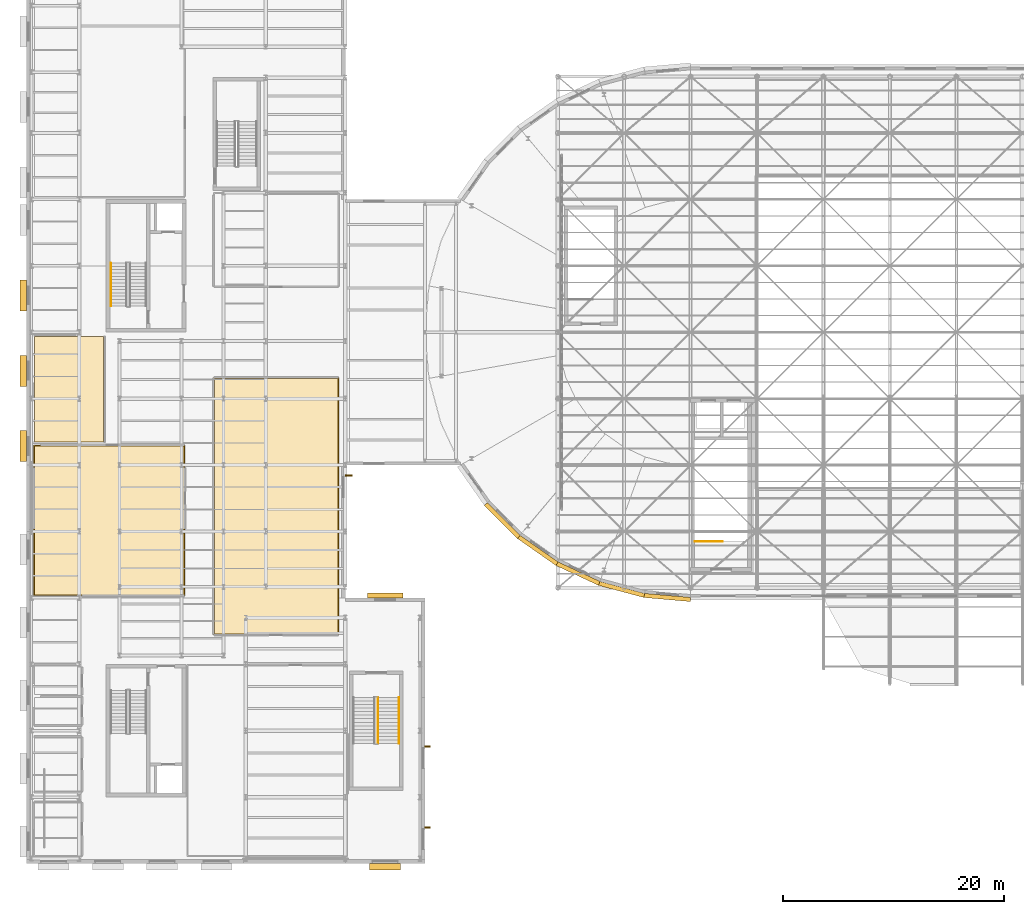
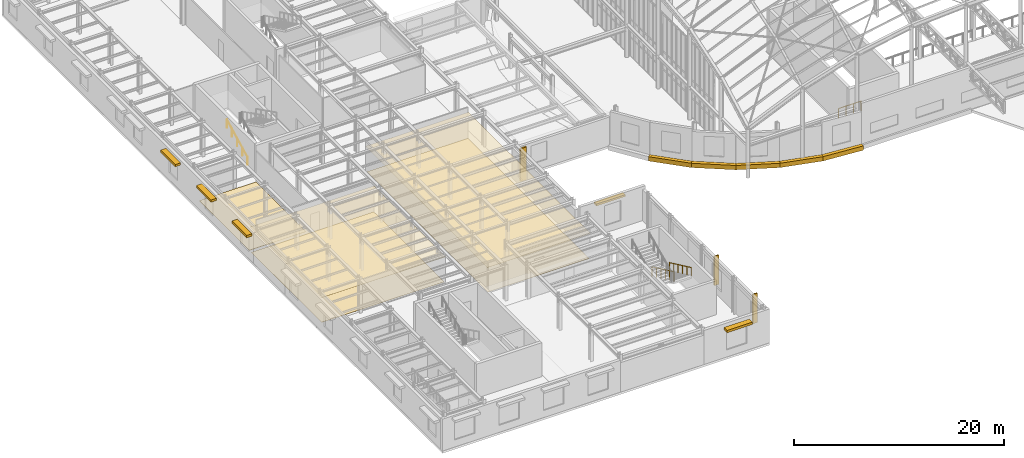
# One storey, part 70 of 75: 10 coverings, 8 shading devices, 4 railings, 2 elements without a shape of their own.
"""IFC4 building model written with IfcOpenShell, lengths in metres."""

from ifc_helpers import new_model, si_unit, direction, frame, origin, origin_2d, place, context, subcontext, project, spatial, polyline, rectangle, circle, outline, extrude, material, layer, layer_set, type_object, element, aggregate, save


model = new_model("IFC4")

# Units and contexts
model_context = context("Model", 3, precision=1e-05, world=origin(), true_north=direction((0.0, 1.0)))
body_context = subcontext(model_context, "Body", "Model", "MODEL_VIEW")
ifc_project = project(units=[si_unit("LENGTHUNIT", "METRE"), si_unit("AREAUNIT", "SQUARE_METRE"), si_unit("VOLUMEUNIT", "CUBIC_METRE"), si_unit("PLANEANGLEUNIT", "RADIAN"), si_unit("MASSUNIT", "GRAM", prefix="KILO")], contexts=[model_context])

# Site, building, storey
site_placement = place(None, origin())
site = spatial("IfcSite", under=ifc_project, at=site_placement, CompositionType="ELEMENT")
building_placement = place(site_placement, origin())
building = spatial("IfcBuilding", under=site, at=building_placement, Name="Kolvaren Corner Interchange", CompositionType="ELEMENT")
storey_placement = place(building_placement, frame((0.0, 0.0, 10.5)))
storey = spatial("IfcBuildingStorey", under=building, at=storey_placement, Name="L03", CompositionType="ELEMENT", Elevation=10.5)

# Coverings
ifc_material_1 = material(Name="Suspended Acoustic Mineral-Fibre Ceiling")
ifc_layer_1 = layer(ifc_material_1, 0.02197265625)
ifc_layer_set_1 = layer_set([ifc_layer_1], Name="Suspended Acoustic Mineral-Fibre Ceiling")
covering_type_1 = type_object("IfcCoveringType", Name="COV-CEIL-AC22", PredefinedType="CEILING", material=ifc_layer_set_1)
covering_1_placement = place(storey_placement, frame((0.0, 0.0, 2.927978515625)))
element("IfcCovering", 1, at=covering_1_placement, inside=storey, type_object=covering_type_1, Name="L03 Transit Authority Open-Plan Offices Suspended Ceiling", PredefinedType="CEILING", context=body_context, shape_type="SweptSolid", body=[
    extrude(outline(polyline([(16.8798828125, 20.64990234375), (28.217529296875, 20.640625), (28.20947265625, 43.91748046875), (16.88232421875, 43.909423828125), (16.8798828125, 20.64990234375)])), origin(), (0.0, 0.0, 1.0), 0.02197265625),
])
covering_2_placement = place(storey_placement, frame((0.0, 0.0, 2.927978515625)))
element("IfcCovering", 2, at=covering_2_placement, inside=storey, type_object=covering_type_1, Name="L03 Intermodal Authority Boardroom Suspended Ceiling", PredefinedType="CEILING", context=body_context, shape_type="SweptSolid", body=[
    extrude(outline(polyline([(0.6298828125, 24.199951171875), (14.314208984375, 24.185791015625), (14.314208984375, 37.814208984375), (0.635986328125, 37.814208984375), (0.6298828125, 24.199951171875)])), origin(), (0.0, 0.0, 1.0), 0.02197265625),
])
ifc_material_2 = material(Name="Acoustic Tufted Modular Office Carpet Tile")
ifc_layer_2 = layer(ifc_material_2, 0.011962890625)
ifc_layer_set_2 = layer_set([ifc_layer_2], Name="Acoustic Tufted Modular Office Carpet Tile")
covering_type_2 = type_object("IfcCoveringType", Name="COV-FLR-CPT12", PredefinedType="FLOORING", material=ifc_layer_set_2)
covering_3_placement = place(storey_placement, origin())
element("IfcCovering", 3, at=covering_3_placement, inside=storey, type_object=covering_type_2, Name="L03 Transit Authority Open-Plan Offices Floor Finish", PredefinedType="FLOORING", context=body_context, shape_type="SweptSolid", body=[
    extrude(outline(polyline([(16.97998046875, 20.72998046875), (28.1201171875, 20.72998046875), (28.1201171875, 43.820068359375), (16.97998046875, 43.820068359375), (16.97998046875, 20.72998046875)])), origin(), (0.0, 0.0, 1.0), 0.011962890625),
])
covering_4_placement = place(storey_placement, origin())
element("IfcCovering", 4, at=covering_4_placement, inside=storey, type_object=covering_type_2, Name="L03 Intermodal Authority Boardroom Floor Finish", PredefinedType="FLOORING", context=body_context, shape_type="SweptSolid", body=[
    extrude(outline(polyline([(0.72998046875, 24.280029296875), (14.219970703125, 24.280029296875), (14.219970703125, 37.719970703125), (0.72998046875, 37.719970703125), (0.72998046875, 24.280029296875)])), origin(), (0.0, 0.0, 1.0), 0.011962890625),
])
ifc_material_3 = material(Name="Polished Niger Delta Granite Terrazzo Flooring", Category="masonry")
ifc_layer_3 = layer(ifc_material_3, 0.030029296875)
ifc_layer_set_3 = layer_set([ifc_layer_3], Name="Polished Niger Delta Granite Terrazzo Flooring")
covering_type_3 = type_object("IfcCoveringType", Name="COV-FLR-TER30", PredefinedType="FLOORING", material=ifc_layer_set_3)
covering_5_placement = place(storey_placement, origin())
element("IfcCovering", 5, at=covering_5_placement, inside=storey, type_object=covering_type_3, Name="L03 Network IT and Fibre Patch Room Floor Finish", PredefinedType="FLOORING", context=body_context, shape_type="SweptSolid", body=[
    extrude(outline(polyline([(0.72998046875, 38.080078125), (6.969970703125, 38.080078125), (6.969970703125, 47.6201171875), (0.72998046875, 47.6201171875), (0.72998046875, 38.080078125)])), origin(), (0.0, 0.0, 1.0), 0.030029296875),
])
ifc_material_4 = material(Name="Glazed White Terracotta Fascia Cladding", Category="masonry")
ifc_layer_4 = layer(ifc_material_4, 0.0400390625)
ifc_layer_set_4 = layer_set([ifc_layer_4], Name="Glazed White Terracotta Fascia Cladding")
covering_type_4 = type_object("IfcCoveringType", Name="COV-WHT-CLAD40", PredefinedType="CLADDING", material=ifc_layer_set_4)
covering_6_placement = place(storey_placement, frame((0.0, 0.0, -0.320068359375)))
element("IfcCovering", 6, at=covering_6_placement, inside=storey, type_object=covering_type_4, Name="Racetrack West L03 Sweeping White Edge Band 14", PredefinedType="CLADDING", context=body_context, shape_type="SweptSolid", body=[
    extrude(outline(polyline([(41.6455078125, 32.598876953125), (41.3544921875, 32.3544921875), (44.3544921875, 29.3544921875), (44.598876953125, 29.6455078125), (41.6455078125, 32.598876953125)])), origin(), (0.0, 0.0, 1.0), 0.5),
])
covering_7_placement = place(storey_placement, frame((0.0, 0.0, -0.320068359375)))
element("IfcCovering", 7, at=covering_7_placement, inside=storey, type_object=covering_type_4, Name="Racetrack West L03 Sweeping White Edge Band 15", PredefinedType="CLADDING", context=body_context, shape_type="SweptSolid", body=[
    extrude(outline(polyline([(44.598876953125, 29.6455078125), (44.3544921875, 29.3544921875), (47.830078125, 26.9208984375), (48.02001953125, 27.25), (44.598876953125, 29.6455078125)])), origin(), (0.0, 0.0, 1.0), 0.5),
])
covering_8_placement = place(storey_placement, frame((0.0, 0.0, -0.320068359375)))
element("IfcCovering", 8, at=covering_8_placement, inside=storey, type_object=covering_type_4, Name="Racetrack West L03 Sweeping White Edge Band 16", PredefinedType="CLADDING", context=body_context, shape_type="SweptSolid", body=[
    extrude(outline(polyline([(48.02001953125, 27.25), (47.830078125, 26.9208984375), (51.67529296875, 25.1279296875), (51.80517578125, 25.485107421875), (48.02001953125, 27.25)])), origin(), (0.0, 0.0, 1.0), 0.5),
])
covering_9_placement = place(storey_placement, frame((0.0, 0.0, -0.320068359375)))
element("IfcCovering", 9, at=covering_9_placement, inside=storey, type_object=covering_type_4, Name="Racetrack West L03 Sweeping White Edge Band 17", PredefinedType="CLADDING", context=body_context, shape_type="SweptSolid", body=[
    extrude(outline(polyline([(51.80517578125, 25.485107421875), (51.67529296875, 25.1279296875), (55.7734375, 24.02978515625), (55.83935546875, 24.404052734375), (51.80517578125, 25.485107421875)])), origin(), (0.0, 0.0, 1.0), 0.5),
])
covering_10_placement = place(storey_placement, frame((0.0, 0.0, -0.320068359375)))
element("IfcCovering", 10, at=covering_10_placement, inside=storey, type_object=covering_type_4, Name="Racetrack West L03 Sweeping White Edge Band 18", PredefinedType="CLADDING", context=body_context, shape_type="SweptSolid", body=[
    extrude(outline(polyline([(55.83935546875, 24.404052734375), (55.7734375, 24.02978515625), (60.0, 23.659912109375), (60.0, 24.0400390625), (55.83935546875, 24.404052734375)])), origin(), (0.0, 0.0, 1.0), 0.5),
])

# Railing
ifc_material_5 = material(Name="Powder-Coated Steel Stairwell Guardrail", Category="steel")
railing_type_1 = type_object("IfcRailingType", Name="RLT-STAIR-GRD1120", PredefinedType="GUARDRAIL", material=ifc_material_5)
railing_1_placement = place(storey_placement, frame((60.409912109375, 29.090087890625, 0.0)))
element("IfcRailing", 11, at=railing_1_placement, inside=storey, type_object=railing_type_1, Name="Core C3 West Concourse Transfer Stair L03 Landing Edge Guardrail", PredefinedType="GUARDRAIL", context=body_context, shape_type="SweptSolid", body=[
    extrude(circle(Radius=0.02392578125, at=origin_2d()), frame((0.0, 0.0, 1.09619140625), z_axis=(1.0, 0.0, 0.0), x_axis=(0.0, 1.0, 0.0)), (0.0, 0.0, 1.0), 2.47998046875),
    extrude(circle(Radius=0.02001953125, at=origin_2d()), origin(), (0.0, 0.0, 1.0), 1.072021484375),
    extrude(circle(Radius=0.02001953125, at=origin_2d()), frame((0.82666015625, 0.0, 0.0)), (0.0, 0.0, 1.0), 1.072021484375),
    extrude(circle(Radius=0.02001953125, at=origin_2d()), frame((1.6533203125, 0.0, 0.0)), (0.0, 0.0, 1.0), 1.072021484375),
    extrude(circle(Radius=0.02001953125, at=origin_2d()), frame((2.47998046875, 0.0, 0.0)), (0.0, 0.0, 1.0), 1.072021484375),
])

# Stair, railing
ifc_material_6 = material(Name="Concrete C35/45", Category="concrete")
stair_type_1 = type_object("IfcStairType", Name="ST-GL-2000", PredefinedType="HALF_TURN_STAIR", material=ifc_material_6)
stair_1_placement = place(storey_placement, origin())
stair_1 = element("IfcStair", 12, at=stair_1_placement, inside=storey, type_object=stair_type_1, Name="Operations South Bar Protected Exit Stair L03 to L04 Stair", PredefinedType="HALF_TURN_STAIR")
railing_2_placement = place(storey_placement, frame((31.75, 15.0, 0.14990234375)))
railing_2 = element("IfcRailing", 13, at=railing_2_placement, type_object=railing_type_1, Name="Operations South Bar Protected Exit Stair L03 Lower Flight Well Guardrail", PredefinedType="GUARDRAIL", context=body_context, shape_type="SweptSolid", body=[
    extrude(circle(Radius=0.02392578125, at=origin_2d()), frame((0.0, 0.0, 1.09619140625), z_axis=(0.0, -0.905439151359, 0.424476080818), x_axis=(1.0, 0.0, 0.0)), (0.0, 0.0, 1.0), 4.59423828125),
    extrude(circle(Radius=0.02001953125, at=origin_2d()), origin(), (0.0, 0.0, 1.0), 1.072021484375),
    extrude(circle(Radius=0.02001953125, at=origin_2d()), frame((0.0, -0.83203125, 0.39013671875)), (0.0, 0.0, 1.0), 1.072021484375),
    extrude(circle(Radius=0.02001953125, at=origin_2d()), frame((0.0, -1.6640625, 0.780029296875)), (0.0, 0.0, 1.0), 1.072021484375),
    extrude(circle(Radius=0.02001953125, at=origin_2d()), frame((0.0, -2.495849609375, 1.170166015625)), (0.0, 0.0, 1.0), 1.072021484375),
    extrude(circle(Radius=0.02001953125, at=origin_2d()), frame((0.0, -3.327880859375, 1.56005859375)), (0.0, 0.0, 1.0), 1.072021484375),
    extrude(circle(Radius=0.02001953125, at=origin_2d()), frame((0.0, -4.159912109375, 1.9501953125)), (0.0, 0.0, 1.0), 1.072021484375),
])

ifc_material_7 = material(Name="Concrete C35/45", Category="concrete")
stair_type_2 = type_object("IfcStairType", Name="ST-FF-1550", PredefinedType="HALF_TURN_STAIR", material=ifc_material_7)
stair_2_placement = place(storey_placement, origin())
stair_2 = element("IfcStair", 14, at=stair_2_placement, inside=storey, type_object=stair_type_2, Name="Core C2 Northwest Firefighting Stair L03 to L04 Stair", PredefinedType="HALF_TURN_STAIR")
ifc_material_8 = material(Name="Brushed Stainless Steel Stair Handrail", Category="steel")
railing_type_2 = type_object("IfcRailingType", Name="RLT-STAIR-HR950", PredefinedType="HANDRAIL", material=ifc_material_8)
railing_3_placement = place(storey_placement, frame((7.610107421875, 50.35009765625, 0.14990234375)))
railing_3 = element("IfcRailing", 15, at=railing_3_placement, type_object=railing_type_2, Name="Core C2 Northwest Firefighting Stair L03 Lower Flight Wall Handrail", PredefinedType="HANDRAIL", context=body_context, shape_type="SweptSolid", body=[
    extrude(circle(Radius=0.02197265625, at=origin_2d()), frame((0.0, 0.0, 0.927978515625), z_axis=(0.0, 0.894404793364, 0.447258387967), x_axis=(-1.0, 0.0, 0.0)), (0.0, 0.0, 1.0), 4.3603515625),
    extrude(circle(Radius=0.01806640625, at=origin_2d()), origin(), (0.0, 0.0, 1.0), 0.906005859375),
    extrude(circle(Radius=0.01806640625, at=origin_2d()), frame((0.0, 0.97509765625, 0.487548828125)), (0.0, 0.0, 1.0), 0.906005859375),
    extrude(circle(Radius=0.01806640625, at=origin_2d()), frame((0.0, 1.949951171875, 0.97509765625)), (0.0, 0.0, 1.0), 0.906005859375),
    extrude(circle(Radius=0.01806640625, at=origin_2d()), frame((0.0, 2.9248046875, 1.462646484375)), (0.0, 0.0, 1.0), 0.906005859375),
    extrude(circle(Radius=0.01806640625, at=origin_2d()), frame((0.0, 3.89990234375, 1.9501953125)), (0.0, 0.0, 1.0), 0.906005859375),
])
aggregate(stair_2, [railing_3])

# Railing
railing_4_placement = place(storey_placement, frame((33.639892578125, 15.0, 0.14990234375)))
railing_4 = element("IfcRailing", 16, at=railing_4_placement, type_object=railing_type_2, Name="Operations South Bar Protected Exit Stair L03 Lower Flight Wall Handrail", PredefinedType="HANDRAIL", context=body_context, shape_type="SweptSolid", body=[
    extrude(circle(Radius=0.02197265625, at=origin_2d()), frame((0.0, 0.0, 0.927978515625), z_axis=(0.0, -0.905439151359, 0.424476080818), x_axis=(1.0, 0.0, 0.0)), (0.0, 0.0, 1.0), 4.59423828125),
    extrude(circle(Radius=0.01806640625, at=origin_2d()), origin(), (0.0, 0.0, 1.0), 0.906005859375),
    extrude(circle(Radius=0.01806640625, at=origin_2d()), frame((0.0, -0.83203125, 0.39013671875)), (0.0, 0.0, 1.0), 0.906005859375),
    extrude(circle(Radius=0.01806640625, at=origin_2d()), frame((0.0, -1.6640625, 0.780029296875)), (0.0, 0.0, 1.0), 0.906005859375),
    extrude(circle(Radius=0.01806640625, at=origin_2d()), frame((0.0, -2.495849609375, 1.170166015625)), (0.0, 0.0, 1.0), 0.906005859375),
    extrude(circle(Radius=0.01806640625, at=origin_2d()), frame((0.0, -3.327880859375, 1.56005859375)), (0.0, 0.0, 1.0), 0.906005859375),
    extrude(circle(Radius=0.01806640625, at=origin_2d()), frame((0.0, -4.159912109375, 1.9501953125)), (0.0, 0.0, 1.0), 0.906005859375),
])

aggregate(stair_1, [railing_2, railing_4])

# Shading devices
ifc_material_9 = material(Name="Glazed Ochre Ceramic Baguette Solar Louvre")
shading_device_type_1 = type_object("IfcShadingDeviceType", Name="SHD-BAG-H450", PredefinedType="JALOUSIE", material=ifc_material_9)
shading_device_1_placement = place(storey_placement, frame((32.39990234375, 24.215087890625, 3.2001953125), z_axis=(0.0, 0.0, 1.0), x_axis=(-1.0, 0.0, 0.0)))
element("IfcShadingDevice", 17, at=shading_device_1_placement, inside=storey, type_object=shading_device_type_1, Name="L03 Ceramic Solar Shading 0064", PredefinedType="JALOUSIE", context=body_context, shape_type="SweptSolid", body=[
    extrude(rectangle(XDim=3.199951171875, YDim=0.449951171875, at=origin_2d()), origin(), (0.0, 0.0, 1.0), 0.219970703125),
])
ifc_material_10 = material(Name="Cream Ceramic Baguette Brise-Soleil")
shading_device_type_2 = type_object("IfcShadingDeviceType", Name="SHD-BAG-H600", PredefinedType="JALOUSIE", material=ifc_material_10)
for number, where, z_axis, x_axis, name in (
    (18, (32.39990234375, -0.280029296875, 3.27978515625), (0.0, 0.0, 1.0), (1.0, 0.0, 0.0), "L03 Ceramic Solar Shading 0061"),
    (19, (-0.2900390625, 51.3193359375, 3.02978515625), (0.0, 0.0, 1.0), (0.0, -1.0, 0.0), "L03 Ceramic Solar Shading 0078"),
    (20, (-0.2900390625, 44.5107421875, 3.02978515625), (0.0, 0.0, 1.0), (0.0, -1.0, 0.0), "L03 Ceramic Solar Shading 0079"),
    (21, (-0.2900390625, 37.7021484375, 3.02978515625), (0.0, 0.0, 1.0), (0.0, -1.0, 0.0), "L03 Ceramic Solar Shading 0080"),
):
    element("IfcShadingDevice", number, at=place(storey_placement, frame(where, z_axis=z_axis, x_axis=x_axis)), inside=storey, type_object=shading_device_type_2, Name=name, PredefinedType="JALOUSIE", context=body_context, shape_type="SweptSolid", body=[
        extrude(rectangle(XDim=2.800048828125, YDim=0.60009765625, at=origin_2d()), origin(), (0.0, 0.0, 1.0), 0.260009765625),
    ])
ifc_material_11 = material(Name="Vertical Terracotta Solar Fin", Category="masonry")
shading_device_type_3 = type_object("IfcShadingDeviceType", Name="SHD-FIN-V500", PredefinedType="USERDEFINED", material=ifc_material_11)
for number, where, z_axis, x_axis, name in (
    (22, (36.239990234375, 3.23681640625, 0.295166015625), (0.0, 0.0, 1.0), (0.0, 1.0, 0.0), "L03 Ceramic Solar Shading 0062"),
    (23, (36.239990234375, 10.564453125, 0.295166015625), (0.0, 0.0, 1.0), (0.0, 1.0, 0.0), "L03 Ceramic Solar Shading 0063"),
):
    element("IfcShadingDevice", number, at=place(storey_placement, frame(where, z_axis=z_axis, x_axis=x_axis)), inside=storey, type_object=shading_device_type_3, Name=name, ObjectType="SUNSHADE", PredefinedType="USERDEFINED", context=body_context, shape_type="SweptSolid", body=[
        extrude(rectangle(XDim=0.139892578125, YDim=0.5, at=origin_2d()), origin(), (0.0, 0.0, 1.0), 3.39990234375),
    ])
ifc_material_12 = material(Name="Deep Monsoon Terracotta Solar Fin", Category="masonry")
shading_device_type_4 = type_object("IfcShadingDeviceType", Name="SHD-FIN-V650", PredefinedType="USERDEFINED", material=ifc_material_12)
shading_device_2_placement = place(storey_placement, frame((29.114990234375, 35.06005859375, 0.09521484375), z_axis=(0.0, 0.0, 1.0), x_axis=(0.0, 1.0, 0.0)))
element("IfcShadingDevice", 24, at=shading_device_2_placement, inside=storey, type_object=shading_device_type_4, Name="L03 Ceramic Solar Shading 0065", ObjectType="SUNSHADE", PredefinedType="USERDEFINED", context=body_context, shape_type="SweptSolid", body=[
    extrude(rectangle(XDim=0.159912109375, YDim=0.64990234375, at=origin_2d()), origin(), (0.0, 0.0, 1.0), 3.800048828125),
])

save(model, "model.ifc")
